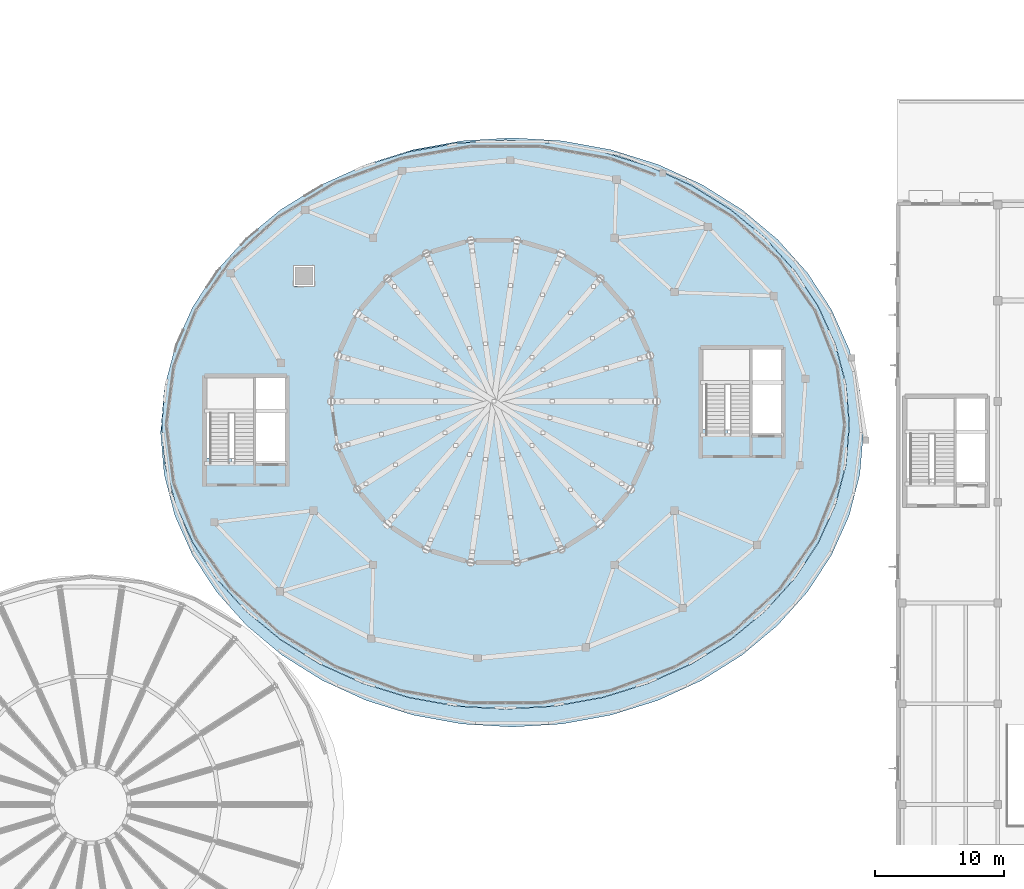
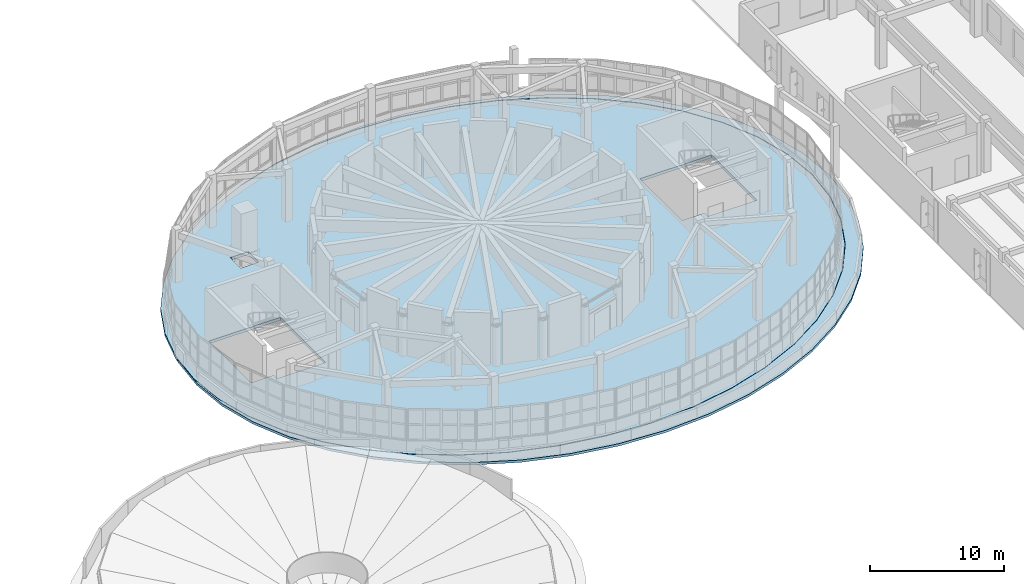
# One storey, part 47 of 69: 2 slabs.
"""IFC4 building model written with IfcOpenShell, lengths in metres."""

from ifc_helpers import new_model, si_unit, direction, frame, origin, place, context, subcontext, project, spatial, polyline, outline, extrude, material, layer, layer_set, type_object, element, save


model = new_model("IFC4")

# Units and contexts
model_context = context("Model", 3, precision=1e-05, world=origin(), true_north=direction((0.0, 1.0)))
body_context = subcontext(model_context, "Body", "Model", "MODEL_VIEW")
ifc_project = project(units=[si_unit("LENGTHUNIT", "METRE"), si_unit("AREAUNIT", "SQUARE_METRE"), si_unit("VOLUMEUNIT", "CUBIC_METRE"), si_unit("PLANEANGLEUNIT", "RADIAN"), si_unit("MASSUNIT", "GRAM", prefix="KILO")], contexts=[model_context])

# Site, building, storey
site_placement = place(None, origin())
site = spatial("IfcSite", under=ifc_project, at=site_placement, CompositionType="ELEMENT")
building_placement = place(site_placement, origin())
building = spatial("IfcBuilding", under=site, at=building_placement, Name="Pelvatis Terrace Science Centre", CompositionType="ELEMENT")
storey_placement = place(building_placement, frame((0.0, 0.0, 15.0)))
storey = spatial("IfcBuildingStorey", under=building, at=storey_placement, Name="L03", CompositionType="ELEMENT", Elevation=15.0)

# Slabs
ifc_material_1 = material(Name="Concrete C35/45", Category="concrete")
ifc_layer_1 = layer(ifc_material_1, 0.264892578125)
ifc_layer_set_1 = layer_set([ifc_layer_1], Name="Concrete C35/45")
slab_type_1 = type_object("IfcSlabType", Name="SLB-FLR-265", PredefinedType="FLOOR", material=ifc_layer_set_1)
slab_1_placement = place(storey_placement, frame((0.0, 0.0, -0.264892578125)))
element("IfcSlab", 1, at=slab_1_placement, inside=storey, type_object=slab_type_1, Name="L03 Planetarium auditorium and astronomy gallery slab", PredefinedType="FLOOR", context=body_context, shape_type="SweptSolid", body=[
    extrude(outline(polyline([(136.42919921875, 80.869140625), (135.62255859375, 77.802001953125), (134.296142578125, 74.86083984375), (132.477294921875, 72.10595703125), (130.202880859375, 69.593017578125), (127.519287109375, 67.37353515625), (124.48095703125, 65.492431640625), (121.14990234375, 63.988037109375), (117.593994140625, 62.89111328125), (113.885498046875, 62.223876953125), (110.10009765625, 62.0), (106.314453125, 62.223876953125), (102.60595703125, 62.89111328125), (99.050048828125, 63.988037109375), (95.718994140625, 65.492431640625), (92.6806640625, 67.37353515625), (89.9970703125, 69.593017578125), (87.72265625, 72.10595703125), (85.90380859375, 74.86083984375), (84.577392578125, 77.802001953125), (83.770751953125, 80.869140625), (83.5, 84.0), (83.770751953125, 87.130859375), (84.577392578125, 90.197998046875), (85.90380859375, 93.13916015625), (87.72265625, 95.89404296875), (89.9970703125, 98.406982421875), (92.6806640625, 100.62646484375), (95.718994140625, 102.507568359375), (99.050048828125, 104.011962890625), (102.60595703125, 105.10888671875), (106.314453125, 105.776123046875), (110.10009765625, 106.0), (113.885498046875, 105.776123046875), (117.593994140625, 105.10888671875), (121.14990234375, 104.011962890625), (124.48095703125, 102.507568359375), (127.519287109375, 100.62646484375), (130.202880859375, 98.406982421875), (132.477294921875, 95.89404296875), (134.296142578125, 93.13916015625), (135.62255859375, 90.197998046875), (136.42919921875, 87.130859375), (136.699951171875, 84.0), (136.42919921875, 80.869140625)]), holes=[polyline([(86.919921875, 81.419921875), (88.8798828125, 81.419921875), (88.8798828125, 80.919921875), (93.080078125, 80.919921875), (93.080078125, 87.679931640625), (86.919921875, 87.679931640625), (86.919921875, 81.419921875)]), polyline([(125.320068359375, 89.8798828125), (125.320068359375, 83.6201171875), (127.280029296875, 83.6201171875), (127.280029296875, 83.1201171875), (131.47998046875, 83.1201171875), (131.47998046875, 89.8798828125), (125.320068359375, 89.8798828125)]), polyline([(93.72509765625, 96.27490234375), (93.72509765625, 94.72509765625), (95.27490234375, 94.72509765625), (95.27490234375, 96.27490234375), (93.72509765625, 96.27490234375)])]), origin(), (0.0, 0.0, 1.0), 0.264892578125),
])
ifc_material_2 = material(Name="Concrete C35/45", Category="concrete")
ifc_layer_2 = layer(ifc_material_2, 0.216064453125)
ifc_layer_set_2 = layer_set([ifc_layer_2], Name="Concrete C35/45")
slab_type_2 = type_object("IfcSlabType", Name="SLB-ROOF-216", PredefinedType="ROOF", material=ifc_layer_set_2)
slab_2_placement = place(storey_placement, frame((0.0, 0.0, -0.216064453125)))
element("IfcSlab", 2, at=slab_2_placement, inside=storey, type_object=slab_type_2, Name="L03 Astronomy drum spiral step collar roof", PredefinedType="ROOF", context=body_context, shape_type="SweptSolid", body=[
    extrude(outline(polyline([(137.523193359375, 80.1552734375), (136.6982421875, 76.9765625), (135.342041015625, 73.928466796875), (133.482177734375, 71.073486328125), (131.156494140625, 68.46923828125), (128.412109375, 66.1689453125), (125.305419921875, 64.219482421875), (121.8994140625, 62.660400390625), (118.26318359375, 61.523681640625), (114.470947265625, 60.83203125), (110.60009765625, 60.60009765625), (106.72900390625, 60.83203125), (102.93701171875, 61.523681640625), (99.30078125, 62.660400390625), (95.89453125, 64.219482421875), (92.787841796875, 66.1689453125), (90.043701171875, 68.46923828125), (87.718017578125, 71.073486328125), (85.85791015625, 73.928466796875), (84.501708984375, 76.9765625), (83.677001953125, 80.1552734375), (83.39990234375, 83.39990234375), (83.677001953125, 86.644775390625), (83.724365234375, 86.827880859375), (83.47998046875, 84.0), (83.750732421875, 80.867431640625), (84.55810546875, 77.796875), (85.88623046875, 74.851318359375), (87.7060546875, 72.094970703125), (89.984375, 69.57763671875), (92.670166015625, 67.3564453125), (95.710693359375, 65.47412109375), (99.041748046875, 63.969970703125), (102.602294921875, 62.87158203125), (106.313232421875, 62.203857421875), (110.098876953125, 61.97998046875), (113.88671875, 62.203857421875), (117.59765625, 62.87158203125), (121.156005859375, 63.968994140625), (124.4892578125, 65.47412109375), (127.52978515625, 67.3564453125), (130.215576171875, 69.57763671875), (132.493896484375, 72.094970703125), (134.313720703125, 74.851318359375), (135.640625, 77.793701171875), (136.448974609375, 80.86572265625), (136.719970703125, 84.0), (136.448486328125, 87.135986328125), (135.641357421875, 90.204833984375), (134.314453125, 93.147216796875), (132.4931640625, 95.906494140625), (130.215576171875, 98.42236328125), (127.52978515625, 100.6435546875), (124.4892578125, 102.52587890625), (121.156005859375, 104.031005859375), (117.60009765625, 105.1279296875), (113.88671875, 105.796142578125), (110.098876953125, 106.02001953125), (106.310791015625, 105.7958984375), (102.602294921875, 105.12841796875), (99.103515625, 104.04931640625), (99.30078125, 104.1396484375), (102.93701171875, 105.2763671875), (106.72900390625, 105.968017578125), (110.60009765625, 106.199951171875), (114.470947265625, 105.968017578125), (118.26318359375, 105.2763671875), (121.8994140625, 104.1396484375), (125.305419921875, 102.58056640625), (128.412109375, 100.631103515625), (131.156494140625, 98.330810546875), (133.482177734375, 95.7265625), (135.342041015625, 92.87158203125), (136.6982421875, 89.823486328125), (137.523193359375, 86.644775390625), (137.800048828125, 83.39990234375), (137.523193359375, 80.1552734375)])), origin(), (0.0, 0.0, 1.0), 0.216064453125),
])

save(model, "model.ifc")
